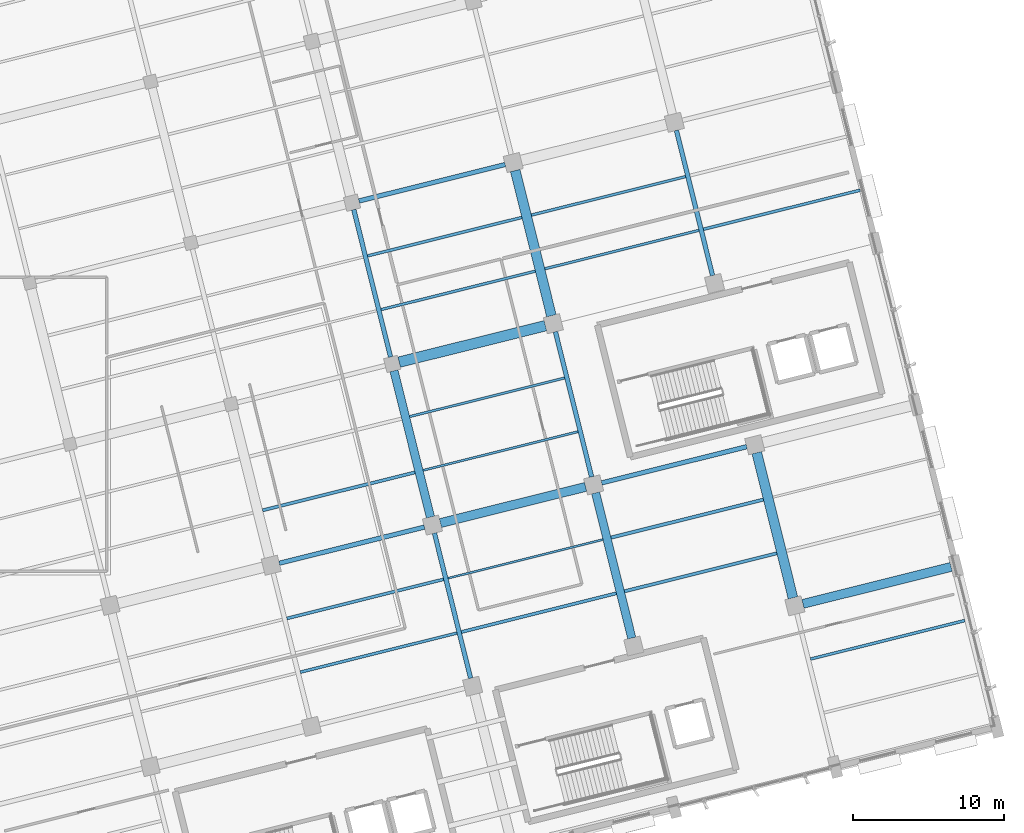
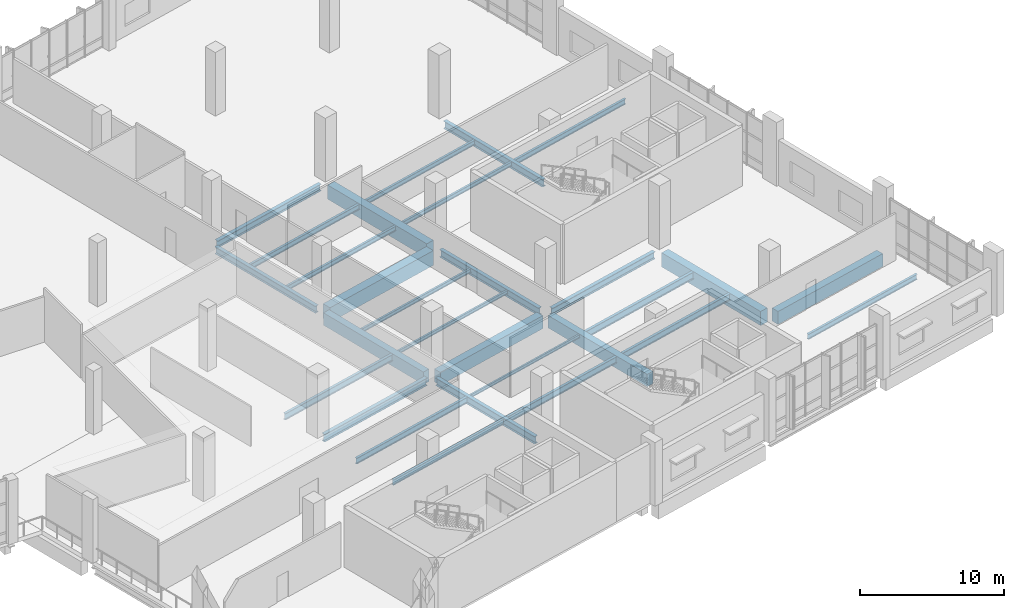
# One storey, part 78 of 176: 29 beams.
"""IFC4 building model written with IfcOpenShell, lengths in metres."""

from ifc_helpers import new_model, si_unit, direction, frame, origin, origin_2d, place, context, subcontext, project, spatial, rectangle, i_section, extrude, material, material_profile, profile_set, type_object, element, save


model = new_model("IFC4")

# Units and contexts
model_context = context("Model", 3, precision=1e-05, world=origin(), true_north=direction((0.0, 1.0)))
body_context = subcontext(model_context, "Body", "Model", "MODEL_VIEW")
ifc_project = project(units=[si_unit("LENGTHUNIT", "METRE"), si_unit("AREAUNIT", "SQUARE_METRE"), si_unit("VOLUMEUNIT", "CUBIC_METRE"), si_unit("PLANEANGLEUNIT", "RADIAN"), si_unit("MASSUNIT", "GRAM", prefix="KILO")], contexts=[model_context])

# Site, building, storey
site_placement = place(None, origin())
site = spatial("IfcSite", under=ifc_project, at=site_placement, CompositionType="ELEMENT")
building_placement = place(site_placement, origin())
building = spatial("IfcBuilding", under=site, at=building_placement, Name="Khorjan Park Terminus", CompositionType="ELEMENT")
storey_placement = place(building_placement, frame((0.0, 0.0, 6.0)))
storey = spatial("IfcBuildingStorey", under=building, at=storey_placement, Name="L01", CompositionType="ELEMENT", Elevation=6.0)

# Beams
ifc_material_1 = material(Name="Steel S355", Category="steel")
ifc_material_profile_1 = material_profile(ifc_material_1, i_section(OverallWidth=0.3, OverallDepth=0.59, WebThickness=0.013, FlangeThickness=0.025, FilletRadius=0.027, at=origin_2d()), Name="HEA 600")
ifc_profile_set_1 = profile_set([ifc_material_profile_1], Name="Steel S355")
beam_type_1 = type_object("IfcBeamType", Name="BM-HEA600", PredefinedType="BEAM", material=ifc_profile_set_1)
beam_1_placement = place(storey_placement, frame((187.8312, 52.7901, -0.645), z_axis=(0.970295477616, 0.241922892916, 0.0), x_axis=(-0.241922892916, 0.970295477616, 0.0)))
element("IfcBeam", 1, at=beam_1_placement, inside=storey, type_object=beam_type_1, Name="Primary skew-grid floor girder SB-A60 (L01)", PredefinedType="BEAM", context=body_context, shape_type="SweptSolid", body=[
    extrude(i_section(OverallWidth=0.3, OverallDepth=0.59, WebThickness=0.013, FlangeThickness=0.025, FilletRadius=0.027, at=origin_2d()), origin(), (0.0, 0.0, 1.0), 9.985),
])
ifc_material_profile_2 = material_profile(ifc_material_1, i_section(OverallWidth=0.3, OverallDepth=0.64, WebThickness=0.0135, FlangeThickness=0.026, FilletRadius=0.027, at=origin_2d()), Name="HEA 650")
ifc_profile_set_2 = profile_set([ifc_material_profile_2], Name="Steel S355")
beam_type_2 = type_object("IfcBeamType", Name="BM-HEA650", PredefinedType="BEAM", material=ifc_profile_set_2)
beam_2_placement = place(storey_placement, frame((182.553, 28.8006, -0.68), z_axis=(0.970294856426, 0.241925384349, 0.0), x_axis=(-0.241925384349, 0.970294856426, 0.0)))
element("IfcBeam", 2, at=beam_2_placement, inside=storey, type_object=beam_type_2, Name="Primary skew-grid floor girder SB-A65 (L01)", PredefinedType="BEAM", context=body_context, shape_type="SweptSolid", body=[
    extrude(i_section(OverallWidth=0.3, OverallDepth=0.64, WebThickness=0.0135, FlangeThickness=0.026, FilletRadius=0.027, at=origin_2d()), origin(), (0.0, 0.0, 1.0), 9.9101),
])
for number, where, z_axis, x_axis, name in (
    (3, (195.2268, 21.1855, -0.68), (-0.24192775306, 0.970294265828, 0.0), (-0.970294265828, -0.24192775306, 0.0), "Primary skew-grid floor girder SB-A65 (L01)"),
    (4, (203.2389, 34.5199, -0.68), (-0.24192775306, 0.970294265828, 0.0), (-0.970294265828, -0.24192775306, 0.0), "Primary skew-grid floor girder SB-A65 (L01)"),
    (5, (211.251, 47.8543, -0.67), (-0.24192775306, 0.970294265828, 0.0), (-0.970294265828, -0.24192775306, 0.0), "Primary skew-grid floor girder SB-A65 (L01)"),
):
    element("IfcBeam", number, at=place(storey_placement, frame(where, z_axis=z_axis, x_axis=x_axis)), inside=storey, type_object=beam_type_2, Name=name, PredefinedType="BEAM", context=body_context, shape_type="SweptSolid", body=[
        extrude(i_section(OverallWidth=0.3, OverallDepth=0.64, WebThickness=0.0135, FlangeThickness=0.026, FilletRadius=0.027, at=origin_2d()), origin(), (0.0, 0.0, 1.0), 9.91),
    ])
ifc_material_profile_3 = material_profile(ifc_material_1, i_section(OverallWidth=0.3, OverallDepth=0.6, WebThickness=0.0155, FlangeThickness=0.03, FilletRadius=0.027, at=origin_2d()), Name="HEB 600")
ifc_profile_set_3 = profile_set([ifc_material_profile_3], Name="Steel S355")
beam_type_3 = type_object("IfcBeamType", Name="BM-HEB600", PredefinedType="BEAM", material=ifc_profile_set_3)
beam_3_placement = place(storey_placement, frame((203.8995, 34.1229, -0.66), z_axis=(0.970294856426, 0.241925384349, 0.0), x_axis=(-0.241925384349, 0.970294856426, 0.0)))
element("IfcBeam", 6, at=beam_3_placement, inside=storey, type_object=beam_type_3, Name="Primary skew-grid floor girder SB-B60 (L01)", PredefinedType="BEAM", context=body_context, shape_type="SweptSolid", body=[
    extrude(i_section(OverallWidth=0.3, OverallDepth=0.6, WebThickness=0.0155, FlangeThickness=0.03, FilletRadius=0.027, at=origin_2d()), origin(), (0.0, 0.0, 1.0), 9.9101),
])
beam_4_placement = place(storey_placement, frame((189.9226, 42.4592, -0.65), z_axis=(-0.24191810525, 0.970296671309, 0.0), x_axis=(-0.970296671309, -0.24191810525, 0.0)))
element("IfcBeam", 7, at=beam_4_placement, inside=storey, type_object=beam_type_3, Name="Primary skew-grid floor girder SB-B60 (L01)", PredefinedType="BEAM", context=body_context, shape_type="SweptSolid", body=[
    extrude(i_section(OverallWidth=0.3, OverallDepth=0.6, WebThickness=0.0155, FlangeThickness=0.03, FilletRadius=0.027, at=origin_2d()), origin(), (0.0, 0.0, 1.0), 10.06),
])
ifc_material_2 = material(Name="Concrete C40/50", Category="concrete")
ifc_material_profile_4 = material_profile(ifc_material_2, rectangle(XDim=0.55, YDim=1.05, at=origin_2d()), Name="RC 550x1050")
ifc_profile_set_4 = profile_set([ifc_material_profile_4], Name="Concrete C40/50")
beam_type_4 = type_object("IfcBeamType", Name="BM-RC550x1050", PredefinedType="BEAM", material=ifc_profile_set_4)
beam_5_placement = place(storey_placement, frame((192.5656, 31.8587, -0.885), z_axis=(-0.241922892916, 0.970295477616, 0.0), x_axis=(-0.970295477616, -0.241922892916, 0.0)))
element("IfcBeam", 8, at=beam_5_placement, inside=storey, type_object=beam_type_4, Name="Primary skew-grid floor girder GB-105 (L01)", PredefinedType="BEAM", context=body_context, shape_type="SweptSolid", body=[
    extrude(rectangle(XDim=0.55, YDim=1.05, at=origin_2d()), origin(), (0.0, 0.0, 1.0), 9.985),
])
beam_6_placement = place(storey_placement, frame((205.9, 23.8466, -0.885), z_axis=(-0.241915884168, 0.970297225074, 0.0), x_axis=(-0.970297225074, -0.241915884168, 0.0)))
element("IfcBeam", 9, at=beam_6_placement, inside=storey, type_object=beam_type_4, Name="Primary skew-grid floor girder GB-105 (L01)", PredefinedType="BEAM", context=body_context, shape_type="SweptSolid", body=[
    extrude(rectangle(XDim=0.55, YDim=1.05, at=origin_2d()), origin(), (0.0, 0.0, 1.0), 9.9101),
])
ifc_material_profile_5 = material_profile(ifc_material_2, rectangle(XDim=0.6, YDim=1.1, at=origin_2d()), Name="RC 600x1100")
ifc_profile_set_5 = profile_set([ifc_material_profile_5], Name="Concrete C40/50")
beam_type_5 = type_object("IfcBeamType", Name="BM-RC600x1100", PredefinedType="BEAM", material=ifc_profile_set_5)
beam_7_placement = place(storey_placement, frame((217.2339, 26.1108, -0.91), z_axis=(0.970296490369, 0.241918830968, 0.0), x_axis=(-0.241918830968, 0.970296490369, 0.0)))
element("IfcBeam", 10, at=beam_7_placement, inside=storey, type_object=beam_type_5, Name="Primary skew-grid floor girder GB-11 (L01)", PredefinedType="BEAM", context=body_context, shape_type="SweptSolid", body=[
    extrude(rectangle(XDim=0.6, YDim=1.1, at=origin_2d()), origin(), (0.0, 0.0, 1.0), 10.11),
])
beam_8_placement = place(storey_placement, frame((193.2263, 31.4618, -0.91), z_axis=(0.970296634521, 0.241918252798, 0.0), x_axis=(-0.241918252798, 0.970296634521, 0.0)))
element("IfcBeam", 11, at=beam_8_placement, inside=storey, type_object=beam_type_5, Name="Primary skew-grid floor girder GB-11 (L01)", PredefinedType="BEAM", context=body_context, shape_type="SweptSolid", body=[
    extrude(rectangle(XDim=0.6, YDim=1.1, at=origin_2d()), origin(), (0.0, 0.0, 1.0), 9.91),
])
ifc_material_profile_6 = material_profile(ifc_material_2, rectangle(XDim=0.65, YDim=1.2, at=origin_2d()), Name="RC 650x1200")
ifc_profile_set_6 = profile_set([ifc_material_profile_6], Name="Concrete C40/50")
beam_type_6 = type_object("IfcBeamType", Name="BM-RC650x1200", PredefinedType="BEAM", material=ifc_profile_set_6)
beam_9_placement = place(storey_placement, frame((200.5777, 45.1931, -0.95), z_axis=(-0.241915884168, 0.970297225074, 0.0), x_axis=(-0.970297225074, -0.241915884168, 0.0)))
element("IfcBeam", 12, at=beam_9_placement, inside=storey, type_object=beam_type_6, Name="Primary skew-grid floor girder GB-12 (L01)", PredefinedType="BEAM", context=body_context, shape_type="SweptSolid", body=[
    extrude(rectangle(XDim=0.65, YDim=1.2, at=origin_2d()), origin(), (0.0, 0.0, 1.0), 9.9101),
])
beam_10_placement = place(storey_placement, frame((216.5733, 26.5078, -0.96), z_axis=(-0.24192775306, 0.970294265828, 0.0), x_axis=(-0.970294265828, -0.24192775306, 0.0)))
element("IfcBeam", 13, at=beam_10_placement, inside=storey, type_object=beam_type_6, Name="Primary skew-grid floor girder GB-12 (L01)", PredefinedType="BEAM", context=body_context, shape_type="SweptSolid", body=[
    extrude(rectangle(XDim=0.65, YDim=1.2, at=origin_2d()), origin(), (0.0, 0.0, 1.0), 9.91),
])
ifc_material_profile_7 = material_profile(ifc_material_2, rectangle(XDim=0.7, YDim=1.25, at=origin_2d()), Name="RC 700x1250")
ifc_profile_set_7 = profile_set([ifc_material_profile_7], Name="Concrete C40/50")
beam_type_7 = type_object("IfcBeamType", Name="BM-RC700x1250", PredefinedType="BEAM", material=ifc_profile_set_7)
beam_11_placement = place(storey_placement, frame((190.4924, 42.1169, -0.985), z_axis=(0.970295477616, 0.241922892916, 0.0), x_axis=(-0.241922892916, 0.970295477616, 0.0)))
element("IfcBeam", 14, at=beam_11_placement, inside=storey, type_object=beam_type_7, Name="Primary skew-grid floor girder GB-125 (L01)", PredefinedType="BEAM", context=body_context, shape_type="SweptSolid", body=[
    extrude(rectangle(XDim=0.7, YDim=1.25, at=origin_2d()), origin(), (0.0, 0.0, 1.0), 9.985),
])
ifc_material_profile_8 = material_profile(ifc_material_1, i_section(OverallWidth=0.135, OverallDepth=0.27, WebThickness=0.0066, FlangeThickness=0.0102, FilletRadius=0.015, at=origin_2d()), Name="IPE 270")
ifc_profile_set_8 = profile_set([ifc_material_profile_8], Name="Steel S355")
beam_type_8 = type_object("IfcBeamType", Name="JS-IPE270", PredefinedType="JOIST", material=ifc_profile_set_8)
beam_12_placement = place(storey_placement, frame((193.7301, 27.8084, -0.495), z_axis=(0.970294165893, 0.241928153868, 0.0), x_axis=(-0.241928153868, 0.970294165893, 0.0)))
element("IfcBeam", 15, at=beam_12_placement, inside=storey, type_object=beam_type_8, Name="Secondary composite floor joist SJ-27 (L01)", PredefinedType="JOIST", context=body_context, shape_type="SweptSolid", body=[
    extrude(i_section(OverallWidth=0.135, OverallDepth=0.27, WebThickness=0.0066, FlangeThickness=0.0102, FilletRadius=0.015, at=origin_2d()), origin(), (0.0, 0.0, 1.0), 10.575),
])
ifc_material_profile_9 = material_profile(ifc_material_1, i_section(OverallWidth=0.15, OverallDepth=0.3, WebThickness=0.0071, FlangeThickness=0.0107, FilletRadius=0.015, at=origin_2d()), Name="IPE 300")
ifc_profile_set_9 = profile_set([ifc_material_profile_9], Name="Steel S355")
beam_type_9 = type_object("IfcBeamType", Name="JS-IPE300", PredefinedType="JOIST", material=ifc_profile_set_9)
beam_13_placement = place(storey_placement, frame((192.0773, 34.9542, -0.51), z_axis=(0.97029361242, 0.241930373656, 0.0), x_axis=(-0.241930373656, 0.97029361242, 0.0)))
element("IfcBeam", 16, at=beam_13_placement, inside=storey, type_object=beam_type_9, Name="Secondary composite floor joist SJ-30 (L01)", PredefinedType="JOIST", context=body_context, shape_type="SweptSolid", body=[
    extrude(i_section(OverallWidth=0.15, OverallDepth=0.3, WebThickness=0.0071, FlangeThickness=0.0107, FilletRadius=0.015, at=origin_2d()), origin(), (0.0, 0.0, 1.0), 10.5749),
])
ifc_material_profile_10 = material_profile(ifc_material_1, i_section(OverallWidth=0.16, OverallDepth=0.33, WebThickness=0.0075, FlangeThickness=0.0115, FilletRadius=0.018, at=origin_2d()), Name="IPE 330")
ifc_profile_set_10 = profile_set([ifc_material_profile_10], Name="Steel S355")
beam_type_10 = type_object("IfcBeamType", Name="JS-IPE330", PredefinedType="JOIST", material=ifc_profile_set_10)
beam_14_placement = place(storey_placement, frame((191.1902, 38.5119, -0.525), z_axis=(0.970294165893, 0.241928153868, 0.0), x_axis=(-0.241928153868, 0.970294165893, 0.0)))
element("IfcBeam", 17, at=beam_14_placement, inside=storey, type_object=beam_type_10, Name="Secondary composite floor joist SJ-33 (L01)", PredefinedType="JOIST", context=body_context, shape_type="SweptSolid", body=[
    extrude(i_section(OverallWidth=0.16, OverallDepth=0.33, WebThickness=0.0075, FlangeThickness=0.0115, FilletRadius=0.018, at=origin_2d()), origin(), (0.0, 0.0, 1.0), 10.575),
])
ifc_material_profile_11 = material_profile(ifc_material_1, i_section(OverallWidth=0.17, OverallDepth=0.36, WebThickness=0.008, FlangeThickness=0.0127, FilletRadius=0.018, at=origin_2d()), Name="IPE 360")
ifc_profile_set_11 = profile_set([ifc_material_profile_11], Name="Steel S355")
beam_type_11 = type_object("IfcBeamType", Name="JS-IPE360", PredefinedType="JOIST", material=ifc_profile_set_11)
beam_15_placement = place(storey_placement, frame((200.1379, 48.3007, -0.53), z_axis=(0.970293771705, 0.241929734819, 0.0), x_axis=(-0.241929734819, 0.970293771705, 0.0)))
element("IfcBeam", 18, at=beam_15_placement, inside=storey, type_object=beam_type_11, Name="Secondary composite floor joist SJ-36 (L01)", PredefinedType="JOIST", context=body_context, shape_type="SweptSolid", body=[
    extrude(i_section(OverallWidth=0.17, OverallDepth=0.36, WebThickness=0.008, FlangeThickness=0.0127, FilletRadius=0.018, at=origin_2d()), origin(), (0.0, 0.0, 1.0), 10.525),
])
ifc_material_profile_12 = material_profile(ifc_material_1, i_section(OverallWidth=0.18, OverallDepth=0.4, WebThickness=0.0086, FlangeThickness=0.0135, FilletRadius=0.021, at=origin_2d()), Name="IPE 400")
ifc_profile_set_12 = profile_set([ifc_material_profile_12], Name="Steel S355")
beam_type_12 = type_object("IfcBeamType", Name="JS-IPE400", PredefinedType="JOIST", material=ifc_profile_set_12)
for number, where, z_axis, x_axis, name in (
    (19, (189.2948, 45.5973, -0.55), (0.970296558074, 0.241918559415, 0.0), (-0.241918559415, 0.970296558074, 0.0), "Secondary composite floor joist SJ-40 (L01)"),
    (20, (199.2508, 51.8584, -0.55), (0.970296558074, 0.241918559415, 0.0), (-0.241918559415, 0.970296558074, 0.0), "Secondary composite floor joist SJ-40 (L01)"),
):
    element("IfcBeam", number, at=place(storey_placement, frame(where, z_axis=z_axis, x_axis=x_axis)), inside=storey, type_object=beam_type_12, Name=name, PredefinedType="JOIST", context=body_context, shape_type="SweptSolid", body=[
        extrude(i_section(OverallWidth=0.18, OverallDepth=0.4, WebThickness=0.0086, FlangeThickness=0.0135, FilletRadius=0.021, at=origin_2d()), origin(), (0.0, 0.0, 1.0), 10.525),
    ])
ifc_material_profile_13 = material_profile(ifc_material_1, i_section(OverallWidth=0.19, OverallDepth=0.45, WebThickness=0.0094, FlangeThickness=0.0146, FilletRadius=0.021, at=origin_2d()), Name="IPE 450")
ifc_profile_set_13 = profile_set([ifc_material_profile_13], Name="Steel S355")
beam_type_13 = type_object("IfcBeamType", Name="JS-IPE450", PredefinedType="JOIST", material=ifc_profile_set_13)
beam_16_placement = place(storey_placement, frame((183.9439, 21.5896, -0.585), z_axis=(0.970294591155, 0.241926448278, 0.0), x_axis=(-0.241926448278, 0.970294591155, 0.0)))
element("IfcBeam", 21, at=beam_16_placement, inside=storey, type_object=beam_type_13, Name="Secondary composite floor joist SJ-45 (L01)", PredefinedType="JOIST", context=body_context, shape_type="SweptSolid", body=[
    extrude(i_section(OverallWidth=0.19, OverallDepth=0.45, WebThickness=0.0094, FlangeThickness=0.0146, FilletRadius=0.021, at=origin_2d()), origin(), (0.0, 0.0, 1.0), 10.6999),
])
beam_17_placement = place(storey_placement, frame((188.4078, 49.1549, -0.575), z_axis=(0.970294327804, 0.241927504493, 0.0), x_axis=(-0.241927504493, 0.970294327804, 0.0)))
element("IfcBeam", 22, at=beam_17_placement, inside=storey, type_object=beam_type_13, Name="Secondary composite floor joist SJ-45 (L01)", PredefinedType="JOIST", context=body_context, shape_type="SweptSolid", body=[
    extrude(i_section(OverallWidth=0.19, OverallDepth=0.45, WebThickness=0.0094, FlangeThickness=0.0146, FilletRadius=0.021, at=origin_2d()), origin(), (0.0, 0.0, 1.0), 10.5251),
])
beam_18_placement = place(storey_placement, frame((217.7377, 22.4575, -0.585), z_axis=(0.970296558074, 0.241918559415, 0.0), x_axis=(-0.241918559415, 0.970296558074, 0.0)))
element("IfcBeam", 23, at=beam_18_placement, inside=storey, type_object=beam_type_13, Name="Secondary composite floor joist SJ-45 (L01)", PredefinedType="JOIST", context=body_context, shape_type="SweptSolid", body=[
    extrude(i_section(OverallWidth=0.19, OverallDepth=0.45, WebThickness=0.0094, FlangeThickness=0.0146, FilletRadius=0.021, at=origin_2d()), origin(), (0.0, 0.0, 1.0), 10.525),
])
beam_19_placement = place(storey_placement, frame((210.6413, 50.9195, -0.575), z_axis=(0.970295138144, 0.241924254455, 0.0), x_axis=(-0.241924254455, 0.970295138144, 0.0)))
element("IfcBeam", 24, at=beam_19_placement, inside=storey, type_object=beam_type_13, Name="Secondary composite floor joist SJ-45 (L01)", PredefinedType="JOIST", context=body_context, shape_type="SweptSolid", body=[
    extrude(i_section(OverallWidth=0.19, OverallDepth=0.45, WebThickness=0.0094, FlangeThickness=0.0146, FilletRadius=0.021, at=origin_2d()), origin(), (0.0, 0.0, 1.0), 10.7),
])
ifc_material_profile_14 = material_profile(ifc_material_1, i_section(OverallWidth=0.2, OverallDepth=0.5, WebThickness=0.0102, FlangeThickness=0.016, FilletRadius=0.021, at=origin_2d()), Name="IPE 500")
ifc_profile_set_14 = profile_set([ifc_material_profile_14], Name="Steel S355")
beam_type_14 = type_object("IfcBeamType", Name="JS-IPE500", PredefinedType="JOIST", material=ifc_profile_set_14)
beam_20_placement = place(storey_placement, frame((183.0568, 25.1473, -0.61), z_axis=(0.970295138144, 0.241924254455, 0.0), x_axis=(-0.241924254455, 0.970295138144, 0.0)))
element("IfcBeam", 25, at=beam_20_placement, inside=storey, type_object=beam_type_14, Name="Secondary composite floor joist SJ-50 (L01)", PredefinedType="JOIST", context=body_context, shape_type="SweptSolid", body=[
    extrude(i_section(OverallWidth=0.2, OverallDepth=0.5, WebThickness=0.0102, FlangeThickness=0.016, FilletRadius=0.021, at=origin_2d()), origin(), (0.0, 0.0, 1.0), 10.7),
])
ifc_material_profile_15 = material_profile(ifc_material_1, i_section(OverallWidth=0.21, OverallDepth=0.55, WebThickness=0.0111, FlangeThickness=0.0172, FilletRadius=0.024, at=origin_2d()), Name="IPE 550")
ifc_profile_set_15 = profile_set([ifc_material_profile_15], Name="Steel S355")
beam_type_15 = type_object("IfcBeamType", Name="JS-IPE550", PredefinedType="JOIST", material=ifc_profile_set_15)
beam_21_placement = place(storey_placement, frame((181.4525, 32.3052, -0.635), z_axis=(0.970295586552, 0.241922456002, 0.0), x_axis=(-0.241922456002, 0.970295586552, 0.0)))
element("IfcBeam", 26, at=beam_21_placement, inside=storey, type_object=beam_type_15, Name="Secondary composite floor joist SJ-55 (L01)", PredefinedType="JOIST", context=body_context, shape_type="SweptSolid", body=[
    extrude(i_section(OverallWidth=0.21, OverallDepth=0.55, WebThickness=0.0111, FlangeThickness=0.0172, FilletRadius=0.024, at=origin_2d()), origin(), (0.0, 0.0, 1.0), 10.4),
])
beam_22_placement = place(storey_placement, frame((194.6171, 24.2507, -0.635), z_axis=(0.970294165893, 0.241928153868, 0.0), x_axis=(-0.241928153868, 0.970294165893, 0.0)))
element("IfcBeam", 27, at=beam_22_placement, inside=storey, type_object=beam_type_15, Name="Secondary composite floor joist SJ-55 (L01)", PredefinedType="JOIST", context=body_context, shape_type="SweptSolid", body=[
    extrude(i_section(OverallWidth=0.21, OverallDepth=0.55, WebThickness=0.0111, FlangeThickness=0.0172, FilletRadius=0.024, at=origin_2d()), origin(), (0.0, 0.0, 1.0), 10.575),
])
beam_23_placement = place(storey_placement, frame((205.4116, 26.9421, -0.635), z_axis=(0.970295586552, 0.241922456002, 0.0), x_axis=(-0.241922456002, 0.970295586552, 0.0)))
element("IfcBeam", 28, at=beam_23_placement, inside=storey, type_object=beam_type_15, Name="Secondary composite floor joist SJ-55 (L01)", PredefinedType="JOIST", context=body_context, shape_type="SweptSolid", body=[
    extrude(i_section(OverallWidth=0.21, OverallDepth=0.55, WebThickness=0.0111, FlangeThickness=0.0172, FilletRadius=0.024, at=origin_2d()), origin(), (0.0, 0.0, 1.0), 10.4),
])
ifc_material_profile_16 = material_profile(ifc_material_1, i_section(OverallWidth=0.22, OverallDepth=0.6, WebThickness=0.012, FlangeThickness=0.019, FilletRadius=0.024, at=origin_2d()), Name="IPE 600")
ifc_profile_set_16 = profile_set([ifc_material_profile_16], Name="Steel S355")
beam_type_16 = type_object("IfcBeamType", Name="JS-IPE600", PredefinedType="JOIST", material=ifc_profile_set_16)
beam_24_placement = place(storey_placement, frame((204.5246, 30.4998, -0.66), z_axis=(0.970295586552, 0.241922456002, 0.0), x_axis=(-0.241922456002, 0.970295586552, 0.0)))
element("IfcBeam", 29, at=beam_24_placement, inside=storey, type_object=beam_type_16, Name="Secondary composite floor joist SJ-60 (L01)", PredefinedType="JOIST", context=body_context, shape_type="SweptSolid", body=[
    extrude(i_section(OverallWidth=0.22, OverallDepth=0.6, WebThickness=0.012, FlangeThickness=0.019, FilletRadius=0.024, at=origin_2d()), origin(), (0.0, 0.0, 1.0), 10.4),
])

save(model, "model.ifc")
